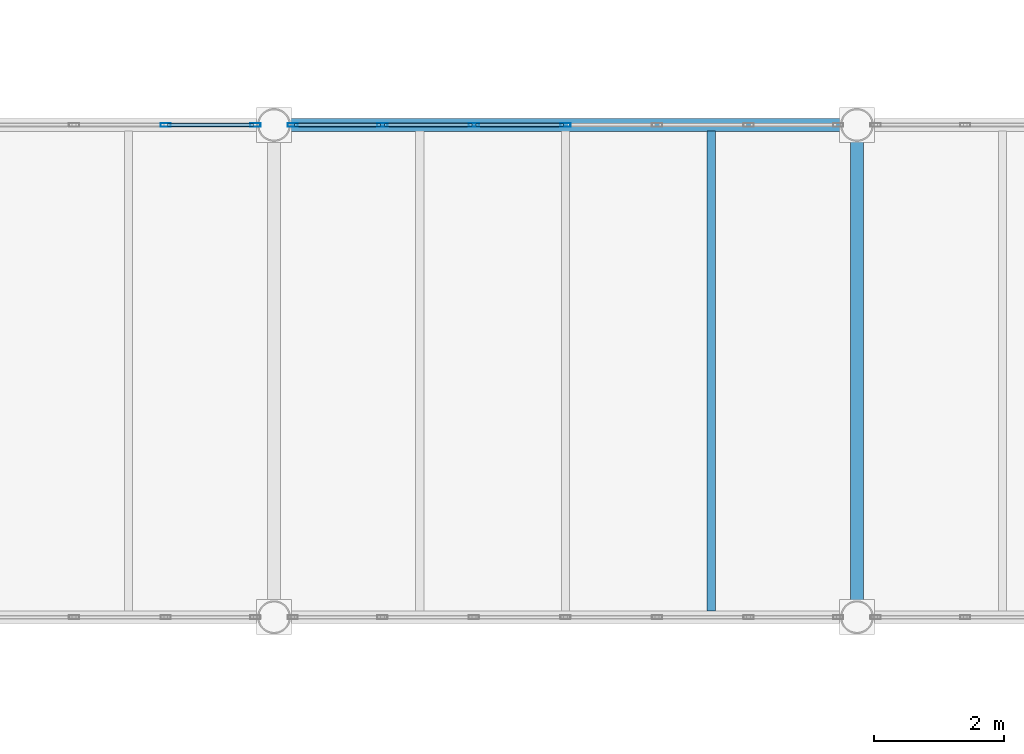
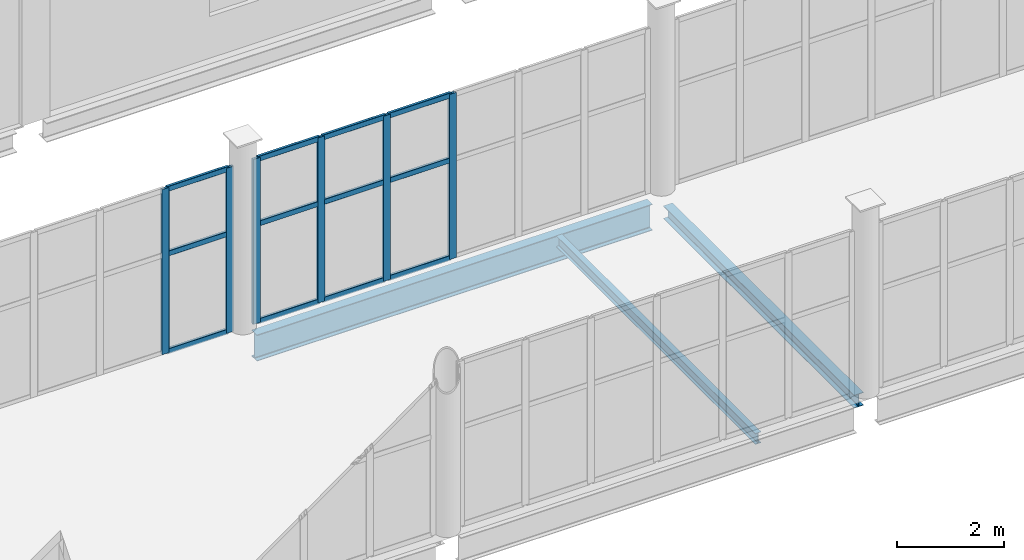
# One storey, part 82 of 136: 18 members, 3 beams, 2 elements without a shape of their own.
"""IFC4 building model written with IfcOpenShell, lengths in metres."""

from ifc_helpers import new_model, si_unit, direction, frame, origin, origin_2d, place, context, subcontext, project, spatial, hollow_rectangle, i_section, extrude, material, material_profile, profile_set, type_object, element, aggregate, save


model = new_model("IFC4")

# Units and contexts
model_context = context("Model", 3, precision=1e-05, world=origin(), true_north=direction((0.0, 1.0)))
body_context = subcontext(model_context, "Body", "Model", "MODEL_VIEW")
ifc_project = project(units=[si_unit("LENGTHUNIT", "METRE"), si_unit("AREAUNIT", "SQUARE_METRE"), si_unit("VOLUMEUNIT", "CUBIC_METRE"), si_unit("PLANEANGLEUNIT", "RADIAN"), si_unit("MASSUNIT", "GRAM", prefix="KILO")], contexts=[model_context])

# Site, building, storey
site_placement = place(None, origin())
site = spatial("IfcSite", under=ifc_project, at=site_placement, CompositionType="ELEMENT")
building_placement = place(site_placement, origin())
building = spatial("IfcBuilding", under=site, at=building_placement, Name="Shengluoqiao Park Theatre", CompositionType="ELEMENT")
storey_placement = place(building_placement, frame((0.0, 0.0, 10.0)))
storey = spatial("IfcBuildingStorey", under=building, at=storey_placement, Name="L02", CompositionType="ELEMENT", Elevation=10.0)

# Curtain wall, members
ifc_material_1 = material(Name="Aluminium 6063-T6", Category="aluminium")
curtain_wall_type = type_object("IfcCurtainWallType", Name="ENV-CW-BRIDGE", PredefinedType="NOTDEFINED", material=ifc_material_1)
curtain_wall_1_placement = place(storey_placement, origin())
curtain_wall_1 = element("IfcCurtainWall", 1, at=curtain_wall_1_placement, inside=storey, type_object=curtain_wall_type, Name="L02 Curtain Wall CWX-L02-0119", PredefinedType="NOTDEFINED")
ifc_material_profile_1 = material_profile(ifc_material_1, hollow_rectangle(XDim=0.06005859375, YDim=0.159912109375, WallThickness=0.00390625, InnerFilletRadius=0.00390625, OuterFilletRadius=0.008056640625, at=origin_2d()), Name="ALU MULLION 160x60x4")
ifc_profile_set_1 = profile_set([ifc_material_profile_1], Name="Aluminium 6063-T6")
member_type_1 = type_object("IfcMemberType", Name="ENV-MUL-160", PredefinedType="MULLION", material=ifc_profile_set_1)
member_1_placement = place(storey_placement, frame((128.72802734375, 76.0, 0.0), z_axis=(0.0, 0.0, 1.0), x_axis=(0.0, 1.0, 0.0)))
member_1 = element("IfcMember", 2, at=member_1_placement, type_object=member_type_1, Name="CW-03 mullion 6", PredefinedType="MULLION", context=body_context, shape_type="SweptSolid", body=[
    extrude(hollow_rectangle(XDim=0.06005859375, YDim=0.159912109375, WallThickness=0.00390625, InnerFilletRadius=0.00390625, OuterFilletRadius=0.008056640625, at=origin_2d()), origin(), (0.0, 0.0, 1.0), 3.751953125),
])
member_2_placement = place(storey_placement, frame((130.112060546875, 76.0, 0.0), z_axis=(0.0, 0.0, 1.0), x_axis=(0.0, 1.0, 0.0)))
member_2 = element("IfcMember", 3, at=member_2_placement, type_object=member_type_1, Name="CW-03 mullion 7", PredefinedType="MULLION", context=body_context, shape_type="SweptSolid", body=[
    extrude(hollow_rectangle(XDim=0.06005859375, YDim=0.159912109375, WallThickness=0.00390625, InnerFilletRadius=0.00390625, OuterFilletRadius=0.008056640625, at=origin_2d()), origin(), (0.0, 0.0, 1.0), 3.751953125),
])

curtain_wall_2_placement = place(storey_placement, origin())
curtain_wall_2 = element("IfcCurtainWall", 4, at=curtain_wall_2_placement, inside=storey, type_object=curtain_wall_type, Name="L02 Curtain Wall CWX-L02-0120", PredefinedType="NOTDEFINED")
member_3_placement = place(storey_placement, frame((130.68798828125, 76.0, 0.0), z_axis=(0.0, 0.0, 1.0), x_axis=(0.0, 1.0, 0.0)))
member_3 = element("IfcMember", 5, at=member_3_placement, type_object=member_type_1, Name="CW-03 mullion 1", PredefinedType="MULLION", context=body_context, shape_type="SweptSolid", body=[
    extrude(hollow_rectangle(XDim=0.06005859375, YDim=0.159912109375, WallThickness=0.00390625, InnerFilletRadius=0.00390625, OuterFilletRadius=0.008056640625, at=origin_2d()), origin(), (0.0, 0.0, 1.0), 3.751953125),
])
member_4_placement = place(storey_placement, frame((132.072021484375, 76.0, 0.0), z_axis=(0.0, 0.0, 1.0), x_axis=(0.0, 1.0, 0.0)))
member_4 = element("IfcMember", 6, at=member_4_placement, type_object=member_type_1, Name="CW-03 mullion 2", PredefinedType="MULLION", context=body_context, shape_type="SweptSolid", body=[
    extrude(hollow_rectangle(XDim=0.06005859375, YDim=0.159912109375, WallThickness=0.00390625, InnerFilletRadius=0.00390625, OuterFilletRadius=0.008056640625, at=origin_2d()), origin(), (0.0, 0.0, 1.0), 3.751953125),
])
member_5_placement = place(storey_placement, frame((133.486083984375, 76.0, 0.0), z_axis=(0.0, 0.0, 1.0), x_axis=(0.0, 1.0, 0.0)))
member_5 = element("IfcMember", 7, at=member_5_placement, type_object=member_type_1, Name="CW-03 mullion 3", PredefinedType="MULLION", context=body_context, shape_type="SweptSolid", body=[
    extrude(hollow_rectangle(XDim=0.06005859375, YDim=0.159912109375, WallThickness=0.00390625, InnerFilletRadius=0.00390625, OuterFilletRadius=0.008056640625, at=origin_2d()), origin(), (0.0, 0.0, 1.0), 3.751953125),
])
member_6_placement = place(storey_placement, frame((134.89990234375, 76.0, 0.0), z_axis=(0.0, 0.0, 1.0), x_axis=(0.0, 1.0, 0.0)))
member_6 = element("IfcMember", 8, at=member_6_placement, type_object=member_type_1, Name="CW-03 mullion 4", PredefinedType="MULLION", context=body_context, shape_type="SweptSolid", body=[
    extrude(hollow_rectangle(XDim=0.06005859375, YDim=0.159912109375, WallThickness=0.00390625, InnerFilletRadius=0.00390625, OuterFilletRadius=0.008056640625, at=origin_2d()), origin(), (0.0, 0.0, 1.0), 3.751953125),
])

# Member
ifc_material_profile_2 = material_profile(ifc_material_1, hollow_rectangle(XDim=0.06005859375, YDim=0.1201171875, WallThickness=0.00390625, InnerFilletRadius=0.00390625, OuterFilletRadius=0.008056640625, at=origin_2d()), Name="ALU TRANSOM 120x60x4")
ifc_profile_set_2 = profile_set([ifc_material_profile_2], Name="Aluminium 6063-T6")
member_type_2 = type_object("IfcMemberType", Name="ENV-TRN-120", PredefinedType="USERDEFINED", material=ifc_profile_set_2)
member_7_placement = place(storey_placement, frame((128.758056640625, 76.0, 0.030029296875), z_axis=(1.0, 0.0, 0.0), x_axis=(0.0, 1.0, 0.0)))
member_7 = element("IfcMember", 9, at=member_7_placement, type_object=member_type_2, Name="CW-03 transom 6.1", ObjectType="TRANSOM", PredefinedType="USERDEFINED", context=body_context, shape_type="SweptSolid", body=[
    extrude(hollow_rectangle(XDim=0.06005859375, YDim=0.1201171875, WallThickness=0.00390625, InnerFilletRadius=0.00390625, OuterFilletRadius=0.008056640625, at=origin_2d()), origin(), (0.0, 0.0, 1.0), 1.323974609375),
])

member_8_placement = place(storey_placement, frame((128.758056640625, 76.0, 2.2509765625), z_axis=(1.0, 0.0, 0.0), x_axis=(0.0, 1.0, 0.0)))
member_8 = element("IfcMember", 10, at=member_8_placement, type_object=member_type_2, Name="CW-03 transom 6.2", ObjectType="TRANSOM", PredefinedType="USERDEFINED", context=body_context, shape_type="SweptSolid", body=[
    extrude(hollow_rectangle(XDim=0.06005859375, YDim=0.1201171875, WallThickness=0.00390625, InnerFilletRadius=0.00390625, OuterFilletRadius=0.008056640625, at=origin_2d()), origin(), (0.0, 0.0, 1.0), 1.323974609375),
])

member_9_placement = place(storey_placement, frame((128.758056640625, 76.0, 3.721923828125), z_axis=(1.0, 0.0, 0.0), x_axis=(0.0, 1.0, 0.0)))
member_9 = element("IfcMember", 11, at=member_9_placement, type_object=member_type_2, Name="CW-03 transom 6.3", ObjectType="TRANSOM", PredefinedType="USERDEFINED", context=body_context, shape_type="SweptSolid", body=[
    extrude(hollow_rectangle(XDim=0.06005859375, YDim=0.1201171875, WallThickness=0.00390625, InnerFilletRadius=0.00390625, OuterFilletRadius=0.008056640625, at=origin_2d()), origin(), (0.0, 0.0, 1.0), 1.323974609375),
])

aggregate(curtain_wall_1, [member_1, member_2, member_7, member_8, member_9])

member_10_placement = place(storey_placement, frame((130.718017578125, 76.0, 0.030029296875), z_axis=(1.0, 0.0, 0.0), x_axis=(0.0, 1.0, 0.0)))
member_10 = element("IfcMember", 12, at=member_10_placement, type_object=member_type_2, Name="CW-03 transom 1.1", ObjectType="TRANSOM", PredefinedType="USERDEFINED", context=body_context, shape_type="SweptSolid", body=[
    extrude(hollow_rectangle(XDim=0.06005859375, YDim=0.1201171875, WallThickness=0.00390625, InnerFilletRadius=0.00390625, OuterFilletRadius=0.008056640625, at=origin_2d()), origin(), (0.0, 0.0, 1.0), 1.323974609375),
])

member_11_placement = place(storey_placement, frame((130.718017578125, 76.0, 2.2509765625), z_axis=(1.0, 0.0, 0.0), x_axis=(0.0, 1.0, 0.0)))
member_11 = element("IfcMember", 13, at=member_11_placement, type_object=member_type_2, Name="CW-03 transom 1.2", ObjectType="TRANSOM", PredefinedType="USERDEFINED", context=body_context, shape_type="SweptSolid", body=[
    extrude(hollow_rectangle(XDim=0.06005859375, YDim=0.1201171875, WallThickness=0.00390625, InnerFilletRadius=0.00390625, OuterFilletRadius=0.008056640625, at=origin_2d()), origin(), (0.0, 0.0, 1.0), 1.323974609375),
])

member_12_placement = place(storey_placement, frame((130.718017578125, 76.0, 3.721923828125), z_axis=(1.0, 0.0, 0.0), x_axis=(0.0, 1.0, 0.0)))
member_12 = element("IfcMember", 14, at=member_12_placement, type_object=member_type_2, Name="CW-03 transom 1.3", ObjectType="TRANSOM", PredefinedType="USERDEFINED", context=body_context, shape_type="SweptSolid", body=[
    extrude(hollow_rectangle(XDim=0.06005859375, YDim=0.1201171875, WallThickness=0.00390625, InnerFilletRadius=0.00390625, OuterFilletRadius=0.008056640625, at=origin_2d()), origin(), (0.0, 0.0, 1.0), 1.323974609375),
])

member_13_placement = place(storey_placement, frame((132.10205078125, 76.0, 0.030029296875), z_axis=(1.0, 0.0, 0.0), x_axis=(0.0, 1.0, 0.0)))
member_13 = element("IfcMember", 15, at=member_13_placement, type_object=member_type_2, Name="CW-03 transom 2.1", ObjectType="TRANSOM", PredefinedType="USERDEFINED", context=body_context, shape_type="SweptSolid", body=[
    extrude(hollow_rectangle(XDim=0.06005859375, YDim=0.1201171875, WallThickness=0.00390625, InnerFilletRadius=0.00390625, OuterFilletRadius=0.008056640625, at=origin_2d()), origin(), (0.0, 0.0, 1.0), 1.35400390625),
])

member_14_placement = place(storey_placement, frame((132.10205078125, 76.0, 2.2509765625), z_axis=(1.0, 0.0, 0.0), x_axis=(0.0, 1.0, 0.0)))
member_14 = element("IfcMember", 16, at=member_14_placement, type_object=member_type_2, Name="CW-03 transom 2.2", ObjectType="TRANSOM", PredefinedType="USERDEFINED", context=body_context, shape_type="SweptSolid", body=[
    extrude(hollow_rectangle(XDim=0.06005859375, YDim=0.1201171875, WallThickness=0.00390625, InnerFilletRadius=0.00390625, OuterFilletRadius=0.008056640625, at=origin_2d()), origin(), (0.0, 0.0, 1.0), 1.35400390625),
])

member_15_placement = place(storey_placement, frame((132.10205078125, 76.0, 3.721923828125), z_axis=(1.0, 0.0, 0.0), x_axis=(0.0, 1.0, 0.0)))
member_15 = element("IfcMember", 17, at=member_15_placement, type_object=member_type_2, Name="CW-03 transom 2.3", ObjectType="TRANSOM", PredefinedType="USERDEFINED", context=body_context, shape_type="SweptSolid", body=[
    extrude(hollow_rectangle(XDim=0.06005859375, YDim=0.1201171875, WallThickness=0.00390625, InnerFilletRadius=0.00390625, OuterFilletRadius=0.008056640625, at=origin_2d()), origin(), (0.0, 0.0, 1.0), 1.35400390625),
])

member_16_placement = place(storey_placement, frame((133.51611328125, 76.0, 0.030029296875), z_axis=(1.0, 0.0, 0.0), x_axis=(0.0, 1.0, 0.0)))
member_16 = element("IfcMember", 18, at=member_16_placement, type_object=member_type_2, Name="CW-03 transom 3.1", ObjectType="TRANSOM", PredefinedType="USERDEFINED", context=body_context, shape_type="SweptSolid", body=[
    extrude(hollow_rectangle(XDim=0.06005859375, YDim=0.1201171875, WallThickness=0.00390625, InnerFilletRadius=0.00390625, OuterFilletRadius=0.008056640625, at=origin_2d()), origin(), (0.0, 0.0, 1.0), 1.35400390625),
])

member_17_placement = place(storey_placement, frame((133.51611328125, 76.0, 2.2509765625), z_axis=(1.0, 0.0, 0.0), x_axis=(0.0, 1.0, 0.0)))
member_17 = element("IfcMember", 19, at=member_17_placement, type_object=member_type_2, Name="CW-03 transom 3.2", ObjectType="TRANSOM", PredefinedType="USERDEFINED", context=body_context, shape_type="SweptSolid", body=[
    extrude(hollow_rectangle(XDim=0.06005859375, YDim=0.1201171875, WallThickness=0.00390625, InnerFilletRadius=0.00390625, OuterFilletRadius=0.008056640625, at=origin_2d()), origin(), (0.0, 0.0, 1.0), 1.35400390625),
])

member_18_placement = place(storey_placement, frame((133.51611328125, 76.0, 3.721923828125), z_axis=(1.0, 0.0, 0.0), x_axis=(0.0, 1.0, 0.0)))
member_18 = element("IfcMember", 20, at=member_18_placement, type_object=member_type_2, Name="CW-03 transom 3.3", ObjectType="TRANSOM", PredefinedType="USERDEFINED", context=body_context, shape_type="SweptSolid", body=[
    extrude(hollow_rectangle(XDim=0.06005859375, YDim=0.1201171875, WallThickness=0.00390625, InnerFilletRadius=0.00390625, OuterFilletRadius=0.008056640625, at=origin_2d()), origin(), (0.0, 0.0, 1.0), 1.35400390625),
])

aggregate(curtain_wall_2, [member_3, member_4, member_5, member_6, member_10, member_11, member_12, member_13, member_14, member_15, member_16, member_17, member_18])

# Beams
ifc_material_2 = material(Name="Steel Q355", Category="steel")
ifc_material_profile_3 = material_profile(ifc_material_2, i_section(OverallWidth=0.199951171875, OverallDepth=0.2939453125, WebThickness=0.008056640625, FlangeThickness=0.011962890625, FilletRadius=0.01611328125, at=origin_2d()), Name="HM 294x200x8x12")
ifc_profile_set_3 = profile_set([ifc_material_profile_3], Name="Steel Q355")
beam_type_1 = type_object("IfcBeamType", Name="STR-BM-G-HM294", PredefinedType="BEAM", material=ifc_profile_set_3)
beam_1_placement = place(storey_placement, frame((139.39990234375, 68.64794921875, -0.35693359375), z_axis=(0.0, 1.0, 0.0), x_axis=(-1.0, 0.0, 0.0)))
element("IfcBeam", 21, at=beam_1_placement, inside=storey, type_object=beam_type_1, Name="L02 Transverse Girder 01026", PredefinedType="BEAM", context=body_context, shape_type="SweptSolid", body=[
    extrude(i_section(OverallWidth=0.199951171875, OverallDepth=0.2939453125, WebThickness=0.008056640625, FlangeThickness=0.011962890625, FilletRadius=0.01611328125, at=origin_2d()), origin(), (0.0, 0.0, 1.0), 7.10400390625),
])
ifc_material_profile_4 = material_profile(ifc_material_2, i_section(OverallWidth=0.125, OverallDepth=0.25, WebThickness=0.006103515625, FlangeThickness=0.009033203125, FilletRadius=0.010009765625, at=origin_2d()), Name="HN 250x125x6x9")
ifc_profile_set_4 = profile_set([ifc_material_profile_4], Name="Steel Q355")
beam_type_2 = type_object("IfcBeamType", Name="STR-BM-J-HN250", PredefinedType="JOIST", material=ifc_profile_set_4)
beam_2_placement = place(storey_placement, frame((137.14990234375, 68.494384765625, -0.3349609375), z_axis=(0.0, 1.0, 0.0), x_axis=(-1.0, 0.0, 0.0)))
element("IfcBeam", 22, at=beam_2_placement, inside=storey, type_object=beam_type_2, Name="L02 Composite Joist 01046", PredefinedType="JOIST", context=body_context, shape_type="SweptSolid", body=[
    extrude(i_section(OverallWidth=0.125, OverallDepth=0.25, WebThickness=0.006103515625, FlangeThickness=0.009033203125, FilletRadius=0.010009765625, at=origin_2d()), origin(), (0.0, 0.0, 1.0), 7.4111328125),
])
ifc_material_profile_5 = material_profile(ifc_material_2, i_section(OverallWidth=0.198974609375, OverallDepth=0.595947265625, WebThickness=0.010009765625, FlangeThickness=0.014892578125, FilletRadius=0.02001953125, at=origin_2d()), Name="HN 596x199x10x15")
ifc_profile_set_5 = profile_set([ifc_material_profile_5], Name="Steel Q355")
beam_type_3 = type_object("IfcBeamType", Name="STR-BM-SP-HN596", PredefinedType="SPANDREL", material=ifc_profile_set_5)
beam_3_placement = place(storey_placement, frame((130.64794921875, 76.0, -0.508056640625), z_axis=(1.0, 0.0, 0.0), x_axis=(0.0, 1.0, 0.0)))
element("IfcBeam", 23, at=beam_3_placement, inside=storey, type_object=beam_type_3, Name="L02 Primary Girder 01018", PredefinedType="SPANDREL", context=body_context, shape_type="SweptSolid", body=[
    extrude(i_section(OverallWidth=0.198974609375, OverallDepth=0.595947265625, WebThickness=0.010009765625, FlangeThickness=0.014892578125, FilletRadius=0.02001953125, at=origin_2d()), origin(), (0.0, 0.0, 1.0), 8.504150390625),
])

save(model, "model.ifc")
